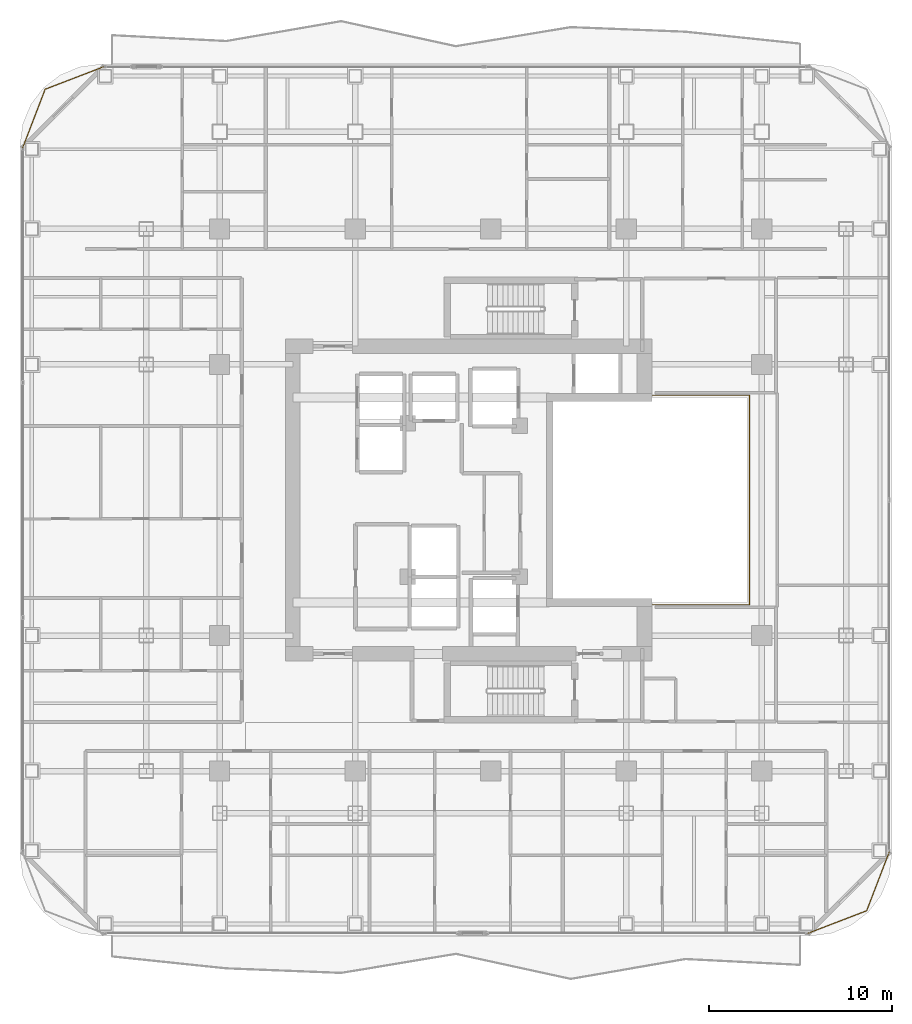
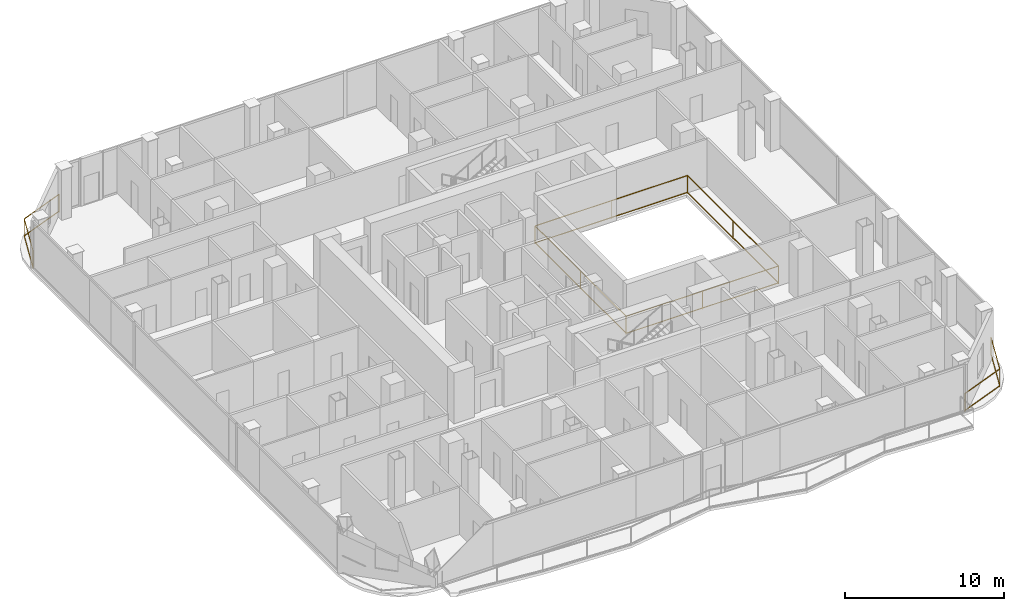
# One storey, part 25 of 26: 3 railings.
"""IFC4 building model written with IfcOpenShell, lengths in metres."""

from ifc_helpers import new_model, si_unit, direction, frame, origin, origin_2d, place, context, subcontext, project, spatial, rectangle, extrude, material, type_object, element, save


model = new_model("IFC4")

# Units and contexts
model_context = context("Model", 3, precision=1e-05, world=origin(), true_north=direction((0.0, 1.0)))
body_context = subcontext(model_context, "Body", "Model", "MODEL_VIEW")
ifc_project = project(units=[si_unit("LENGTHUNIT", "METRE"), si_unit("AREAUNIT", "SQUARE_METRE"), si_unit("VOLUMEUNIT", "CUBIC_METRE"), si_unit("PLANEANGLEUNIT", "RADIAN"), si_unit("MASSUNIT", "GRAM", prefix="KILO")], contexts=[model_context])

# Site, building, storey
site_placement = place(None, origin())
site = spatial("IfcSite", under=ifc_project, at=site_placement, CompositionType="ELEMENT")
building_placement = place(site_placement, origin())
building = spatial("IfcBuilding", under=site, at=building_placement, Name="Khorvyn Point Tower", CompositionType="ELEMENT")
storey_placement = place(building_placement, frame((0.0, 0.0, 187.5)))
storey = spatial("IfcBuildingStorey", under=building, at=storey_placement, Name="L46", CompositionType="ELEMENT", Elevation=187.5)

# Railings
ifc_material_1 = material(Name="Stainless steel 1.4401 and laminated glass", Category="steel")
railing_type_1 = type_object("IfcRailingType", Name="Crystal Atrium Smoke-Rated Perimeter Guardrail 1400", PredefinedType="GUARDRAIL", material=ifc_material_1)
railing_1_placement = place(storey_placement, frame((3.080078125, -5.719970703125, 0.0)))
element("IfcRailing", 1, at=railing_1_placement, inside=storey, type_object=railing_type_1, Name="L46 Crystal Atrium Perimeter Guardrail", PredefinedType="GUARDRAIL", context=body_context, shape_type="SweptSolid", body=[
    extrude(rectangle(XDim=0.048095703125, YDim=0.048095703125, at=origin_2d()), frame((0.0, 0.0, 1.3759765625), z_axis=(1.0, 0.0, 0.0), x_axis=(0.0, 1.0, 0.0)), (0.0, 0.0, 1.0), 11.0400390625),
    extrude(rectangle(XDim=0.048095703125, YDim=0.048095703125, at=origin_2d()), frame((0.0, 0.0, 0.080078125), z_axis=(1.0, 0.0, 0.0), x_axis=(0.0, 1.0, 0.0)), (0.0, 0.0, 1.0), 11.0400390625),
    extrude(rectangle(XDim=0.048095703125, YDim=0.048095703125, at=origin_2d()), frame((11.0400390625, 0.0, 1.3759765625), z_axis=(0.0, 1.0, 0.0), x_axis=(-1.0, 0.0, 0.0)), (0.0, 0.0, 1.0), 11.43994140625),
    extrude(rectangle(XDim=0.048095703125, YDim=0.048095703125, at=origin_2d()), frame((11.0400390625, 0.0, 0.080078125), z_axis=(0.0, 1.0, 0.0), x_axis=(-1.0, 0.0, 0.0)), (0.0, 0.0, 1.0), 11.43994140625),
    extrude(rectangle(XDim=0.048095703125, YDim=0.048095703125, at=origin_2d()), frame((11.0400390625, 11.43994140625, 1.3759765625), z_axis=(-1.0, 0.0, 0.0), x_axis=(0.0, -1.0, 0.0)), (0.0, 0.0, 1.0), 11.0400390625),
    extrude(rectangle(XDim=0.048095703125, YDim=0.048095703125, at=origin_2d()), frame((11.0400390625, 11.43994140625, 0.080078125), z_axis=(-1.0, 0.0, 0.0), x_axis=(0.0, -1.0, 0.0)), (0.0, 0.0, 1.0), 11.0400390625),
    extrude(rectangle(XDim=0.048095703125, YDim=0.048095703125, at=origin_2d()), frame((0.0, 11.43994140625, 1.3759765625), z_axis=(0.0, -1.0, 0.0), x_axis=(1.0, 0.0, 0.0)), (0.0, 0.0, 1.0), 11.409912109375),
    extrude(rectangle(XDim=0.048095703125, YDim=0.048095703125, at=origin_2d()), frame((0.0, 11.43994140625, 0.080078125), z_axis=(0.0, -1.0, 0.0), x_axis=(1.0, 0.0, 0.0)), (0.0, 0.0, 1.0), 11.409912109375),
    extrude(rectangle(XDim=0.0419921875, YDim=0.0419921875, at=origin_2d()), origin(), (0.0, 0.0, 1.0), 1.351806640625),
    extrude(rectangle(XDim=0.0419921875, YDim=0.0419921875, at=origin_2d()), frame((5.52001953125, 0.0, 0.0)), (0.0, 0.0, 1.0), 1.351806640625),
    extrude(rectangle(XDim=0.0419921875, YDim=0.0419921875, at=origin_2d()), frame((11.0400390625, 0.0, 0.0)), (0.0, 0.0, 1.0), 1.351806640625),
    extrude(rectangle(XDim=0.0419921875, YDim=0.0419921875, at=origin_2d()), frame((11.0400390625, 5.719970703125, 0.0)), (0.0, 0.0, 1.0), 1.351806640625),
    extrude(rectangle(XDim=0.0419921875, YDim=0.0419921875, at=origin_2d()), frame((11.0400390625, 11.43994140625, 0.0)), (0.0, 0.0, 1.0), 1.351806640625),
    extrude(rectangle(XDim=0.0419921875, YDim=0.0419921875, at=origin_2d()), frame((5.52001953125, 11.43994140625, 0.0)), (0.0, 0.0, 1.0), 1.351806640625),
    extrude(rectangle(XDim=0.0419921875, YDim=0.0419921875, at=origin_2d()), frame((0.0, 11.43994140625, 0.0)), (0.0, 0.0, 1.0), 1.351806640625),
    extrude(rectangle(XDim=0.0419921875, YDim=0.0419921875, at=origin_2d()), frame((0.0, 5.73486328125, 0.0)), (0.0, 0.0, 1.0), 1.351806640625),
    extrude(rectangle(XDim=0.0419921875, YDim=0.0419921875, at=origin_2d()), frame((0.0, 0.030029296875, 0.0)), (0.0, 0.0, 1.0), 1.351806640625),
])
ifc_material_2 = material(Name="Anodised aluminium 6063-T6 and laminated safety glass", Category="aluminium")
railing_type_2 = type_object("IfcRailingType", Name="Laminated Glass and Aluminium Balcony Guardrail 1400", PredefinedType="BALUSTRADE", material=ifc_material_2)
railing_2_placement = place(storey_placement, frame((-21.075927734375, 23.674072265625, 0.0)))
element("IfcRailing", 2, at=railing_2_placement, inside=storey, type_object=railing_type_2, Name="L46 Rounded Corner Edge Guardrail NW", PredefinedType="BALUSTRADE", context=body_context, shape_type="SweptSolid", body=[
    extrude(rectangle(XDim=0.048095703125, YDim=0.048095703125, at=origin_2d()), frame((0.0, 0.0, 1.3759765625), z_axis=(-0.933598390295, -0.358321148746, 0.0), x_axis=(0.358321148746, -0.933598390295, 0.0)), (0.0, 0.0, 1.0), 3.481689453125),
    extrude(rectangle(XDim=0.048095703125, YDim=0.048095703125, at=origin_2d()), frame((0.0, 0.0, 0.080078125), z_axis=(-0.933598390295, -0.358321148746, 0.0), x_axis=(0.358321148746, -0.933598390295, 0.0)), (0.0, 0.0, 1.0), 3.481689453125),
    extrude(rectangle(XDim=0.048095703125, YDim=0.048095703125, at=origin_2d()), frame((-3.25048828125, -1.24755859375, 1.3759765625), z_axis=(-0.358382264808, -0.933574931257, 0.0), x_axis=(0.933574931257, -0.358382264808, 0.0)), (0.0, 0.0, 1.0), 3.481689453125),
    extrude(rectangle(XDim=0.048095703125, YDim=0.048095703125, at=origin_2d()), frame((-3.25048828125, -1.24755859375, 0.080078125), z_axis=(-0.358382264808, -0.933574931257, 0.0), x_axis=(0.933574931257, -0.358382264808, 0.0)), (0.0, 0.0, 1.0), 3.481689453125),
    extrude(rectangle(XDim=0.0419921875, YDim=0.0419921875, at=origin_2d()), origin(), (0.0, 0.0, 1.0), 1.351806640625),
    extrude(rectangle(XDim=0.0419921875, YDim=0.0419921875, at=origin_2d()), frame((-3.25048828125, -1.24755859375, 0.0)), (0.0, 0.0, 1.0), 1.351806640625),
    extrude(rectangle(XDim=0.0419921875, YDim=0.0419921875, at=origin_2d()), frame((-4.498291015625, -4.498046875, 0.0)), (0.0, 0.0, 1.0), 1.351806640625),
])
railing_3_placement = place(storey_placement, frame((17.27587890625, -23.674072265625, 0.0)))
element("IfcRailing", 3, at=railing_3_placement, inside=storey, type_object=railing_type_2, Name="L46 Rounded Corner Edge Guardrail SE", PredefinedType="BALUSTRADE", context=body_context, shape_type="SweptSolid", body=[
    extrude(rectangle(XDim=0.048095703125, YDim=0.048095703125, at=origin_2d()), frame((0.0, 0.0, 1.3759765625), z_axis=(0.933598390295, 0.358321148746, 0.0), x_axis=(-0.358321148746, 0.933598390295, 0.0)), (0.0, 0.0, 1.0), 3.481689453125),
    extrude(rectangle(XDim=0.048095703125, YDim=0.048095703125, at=origin_2d()), frame((0.0, 0.0, 0.080078125), z_axis=(0.933598390295, 0.358321148746, 0.0), x_axis=(-0.358321148746, 0.933598390295, 0.0)), (0.0, 0.0, 1.0), 3.481689453125),
    extrude(rectangle(XDim=0.048095703125, YDim=0.048095703125, at=origin_2d()), frame((3.25048828125, 1.24755859375, 1.3759765625), z_axis=(0.358382264808, 0.933574931257, 0.0), x_axis=(-0.933574931257, 0.358382264808, 0.0)), (0.0, 0.0, 1.0), 3.481689453125),
    extrude(rectangle(XDim=0.048095703125, YDim=0.048095703125, at=origin_2d()), frame((3.25048828125, 1.24755859375, 0.080078125), z_axis=(0.358382264808, 0.933574931257, 0.0), x_axis=(-0.933574931257, 0.358382264808, 0.0)), (0.0, 0.0, 1.0), 3.481689453125),
    extrude(rectangle(XDim=0.0419921875, YDim=0.0419921875, at=origin_2d()), origin(), (0.0, 0.0, 1.0), 1.351806640625),
    extrude(rectangle(XDim=0.0419921875, YDim=0.0419921875, at=origin_2d()), frame((3.25048828125, 1.24755859375, 0.0)), (0.0, 0.0, 1.0), 1.351806640625),
    extrude(rectangle(XDim=0.0419921875, YDim=0.0419921875, at=origin_2d()), frame((4.498291015625, 4.498046875, 0.0)), (0.0, 0.0, 1.0), 1.351806640625),
])

save(model, "model.ifc")
